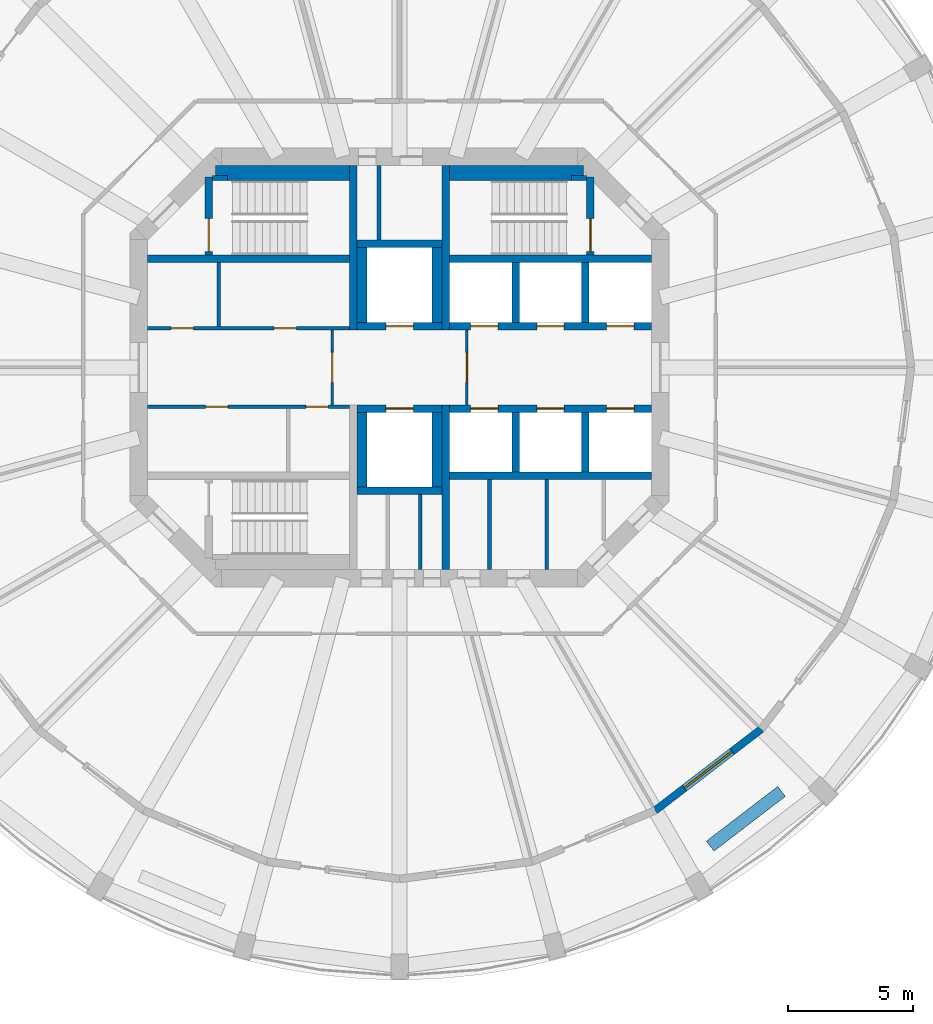
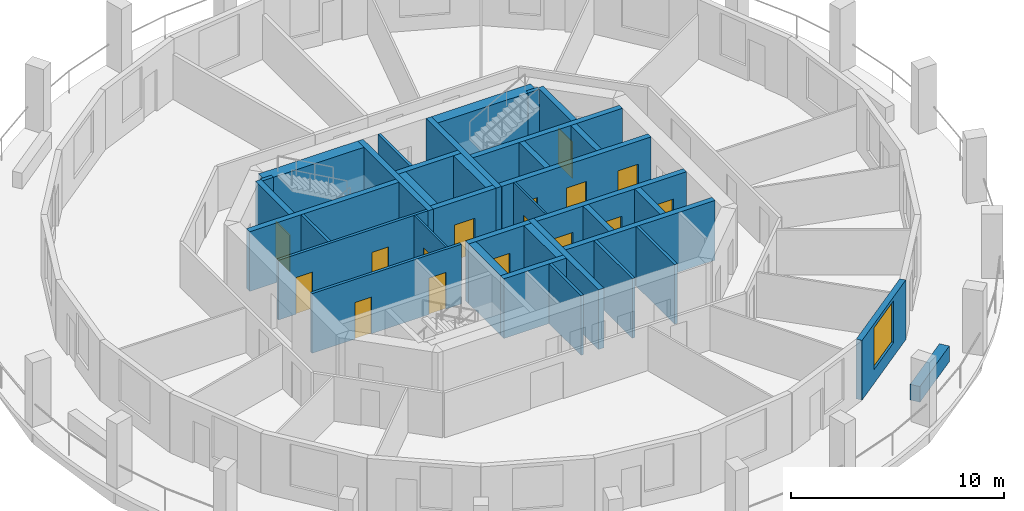
# One storey, part 4 of 9: 37 walls, 16 doors, 1 window, 17 openings.
"""IFC4 building model written with IfcOpenShell, lengths in metres."""

from ifc_helpers import new_model, si_unit, direction, frame, frame_2d, origin, place, context, subcontext, project, spatial, rectangle, extrude, material, layer, layer_set, type_object, element, fill, save


model = new_model("IFC4")

# Units and contexts
model_context = context("Model", 3, precision=1e-05, world=origin(), true_north=direction((0.0, 1.0)))
body_context = subcontext(model_context, "Body", "Model", "MODEL_VIEW")
ifc_project = project(units=[si_unit("LENGTHUNIT", "METRE"), si_unit("AREAUNIT", "SQUARE_METRE"), si_unit("VOLUMEUNIT", "CUBIC_METRE"), si_unit("PLANEANGLEUNIT", "RADIAN"), si_unit("MASSUNIT", "GRAM", prefix="KILO")], contexts=[model_context])

# Site, building, storey
site_placement = place(None, origin())
site = spatial("IfcSite", under=ifc_project, at=site_placement, CompositionType="ELEMENT")
building_placement = place(site_placement, origin())
building = spatial("IfcBuilding", under=site, at=building_placement, Name="Torre Triforio", CompositionType="ELEMENT")
storey_placement = place(building_placement, frame((0.0, 0.0, 229.800048828125)))
storey = spatial("IfcBuildingStorey", under=building, at=storey_placement, Name="L52", CompositionType="ELEMENT", Elevation=229.800048828125)

# Walls
ifc_material_1 = material(Name="Concrete C50", Category="concrete")
ifc_layer_1 = layer(ifc_material_1, 0.300048828125)
ifc_layer_set_1 = layer_set([ifc_layer_1], Name="Concrete C50")
wall_type_1 = type_object("IfcWallType", Name="Core wall 300 mm C50 EI 120", PredefinedType="SHEAR", material=ifc_layer_set_1)
for number, where, z_axis, x_axis, name in (
    (1, (-1.85009765625, 1.5, 0.0), (0.0, 0.0, 1.0), (0.0, 1.0, 0.0), "Core wall"),
    (2, (1.85009765625, 1.5, 0.0), (0.0, 0.0, 1.0), (0.0, 1.0, 0.0), "Core wall"),
    (3, (1.85009765625, -8.10009765625, 0.0), (0.0, 0.0, 1.0), (0.0, 1.0, 0.0), "Core wall"),
):
    element("IfcWall", number, at=place(storey_placement, frame(where, z_axis=z_axis, x_axis=x_axis)), inside=storey, type_object=wall_type_1, Name=name, PredefinedType="SHEAR", context=body_context, shape_type="SweptSolid", body=[
        extrude(rectangle(XDim=6.60009765625, YDim=0.300048828125, at=frame_2d((3.300048828125, 0.0))), origin(), (0.0, 0.0, 1.0), 3.419921875),
    ])

# Wall, opening, door
ifc_material_2 = material(Name="Block and board partition")
ifc_layer_2 = layer(ifc_material_2, 0.10009765625)
ifc_layer_set_2 = layer_set([ifc_layer_2], Name="Block and board partition")
wall_type_2 = type_object("IfcWallType", Name="Partition 100 mm EI 120", PredefinedType="PARTITIONING", material=ifc_layer_set_2)
wall_1_placement = place(storey_placement, frame((-2.699951171875, -1.5, 0.0), z_axis=(0.0, 0.0, 1.0), x_axis=(0.0, 1.0, 0.0)))
wall_1 = element("IfcWall", 4, at=wall_1_placement, inside=storey, type_object=wall_type_2, Name="Partition", PredefinedType="PARTITIONING", context=body_context, shape_type="SweptSolid", body=[
    extrude(rectangle(XDim=3.0, YDim=0.10009765625, at=frame_2d((1.5, 0.0))), origin(), (0.0, 0.0, 1.0), 3.419921875),
])
opening_1_placement = place(wall_1_placement, frame((0.89990234375, 0.0, 0.0)))
opening_1 = element("IfcOpeningElement", 5, at=opening_1_placement, cuts=wall_1, Name="Opening FF-W", PredefinedType="OPENING", context=body_context, shape_type="SweptSolid", body=[
    extrude(rectangle(XDim=1.199951171875, YDim=2.10009765625, at=frame_2d((0.60009765625, 1.050048828125))), frame((0.0, 0.06005859375, 0.0), z_axis=(0.0, -1.0, 0.0), x_axis=(1.0, 0.0, 0.0)), (0.0, 0.0, 1.0), 0.1201171875),
])
ifc_material_3 = material(Name="Hollow metal fire door leaf")
door_type_1 = type_object("IfcDoorType", Name="Fire-fighting lobby door 1200 x 2100 EI 60", OperationType="NOTDEFINED", PredefinedType="DOOR", material=ifc_material_3)
door_1_placement = place(opening_1_placement, origin())
door_1 = element("IfcDoor", 6, at=door_1_placement, inside=storey, type_object=door_type_1, Name="Core door FF-W", OperationType="SINGLE_SWING_LEFT", OverallHeight=2.10009765625, OverallWidth=1.199951171875, PredefinedType="DOOR", context=body_context, shape_type="SweptSolid", body=[
    extrude(rectangle(XDim=1.199951171875, YDim=2.10009765625, at=frame_2d((0.60009765625, 1.050048828125))), frame((0.0, 0.02490234375, 0.0), z_axis=(0.0, -1.0, 0.0), x_axis=(1.0, 0.0, 0.0)), (0.0, 0.0, 1.0), 0.050048828125),
])
fill(opening_1, door_1)

wall_2_placement = place(storey_placement, frame((2.699951171875, -1.5, 0.0), z_axis=(0.0, 0.0, 1.0), x_axis=(0.0, 1.0, 0.0)))
wall_2 = element("IfcWall", 7, at=wall_2_placement, inside=storey, type_object=wall_type_2, Name="Partition", PredefinedType="PARTITIONING", context=body_context, shape_type="SweptSolid", body=[
    extrude(rectangle(XDim=3.0, YDim=0.10009765625, at=frame_2d((1.5, 0.0))), origin(), (0.0, 0.0, 1.0), 3.419921875),
])
opening_2_placement = place(wall_2_placement, frame((0.89990234375, 0.0, 0.0)))
opening_2 = element("IfcOpeningElement", 8, at=opening_2_placement, cuts=wall_2, Name="Opening FF-E", PredefinedType="OPENING", context=body_context, shape_type="SweptSolid", body=[
    extrude(rectangle(XDim=1.199951171875, YDim=2.10009765625, at=frame_2d((0.60009765625, 1.050048828125))), frame((0.0, 0.06005859375, 0.0), z_axis=(0.0, -1.0, 0.0), x_axis=(1.0, 0.0, 0.0)), (0.0, 0.0, 1.0), 0.1201171875),
])
door_2_placement = place(opening_2_placement, origin())
door_2 = element("IfcDoor", 9, at=door_2_placement, inside=storey, type_object=door_type_1, Name="Core door FF-E", OperationType="SINGLE_SWING_LEFT", OverallHeight=2.10009765625, OverallWidth=1.199951171875, PredefinedType="DOOR", context=body_context, shape_type="SweptSolid", body=[
    extrude(rectangle(XDim=1.199951171875, YDim=2.10009765625, at=frame_2d((0.60009765625, 1.050048828125))), frame((0.0, 0.02490234375, 0.0), z_axis=(0.0, -1.0, 0.0), x_axis=(1.0, 0.0, 0.0)), (0.0, 0.0, 1.0), 0.050048828125),
])
fill(opening_2, door_2)

# Walls
ifc_layer_3 = layer(ifc_material_2, 0.14990234375)
ifc_layer_set_3 = layer_set([ifc_layer_3], Name="Block and board partition")
wall_type_3 = type_object("IfcWallType", Name="Partition 150 mm", PredefinedType="PARTITIONING", material=ifc_layer_set_3)
for number, where, z_axis, x_axis, name in (
    (10, (3.60498046875, -8.10009765625, 0.0), (0.0, 0.0, 1.0), (0.0, 1.0, 0.0), "Partition"),
    (11, (5.89697265625, -8.10009765625, 0.0), (0.0, 0.0, 1.0), (0.0, 1.0, 0.0), "Partition"),
):
    element("IfcWall", number, at=place(storey_placement, frame(where, z_axis=z_axis, x_axis=x_axis)), inside=storey, type_object=wall_type_3, Name=name, PredefinedType="PARTITIONING", context=body_context, shape_type="SweptSolid", body=[
        extrude(rectangle(XDim=3.60009765625, YDim=0.14990234375, at=frame_2d((1.800048828125, 0.0))), origin(), (0.0, 0.0, 1.0), 3.419921875),
    ])
wall_3_placement = place(storey_placement, frame((-7.242431640625, 1.64990234375, 0.0), z_axis=(0.0, 0.0, 1.0), x_axis=(0.0, 1.0, 0.0)))
element("IfcWall", 12, at=wall_3_placement, inside=storey, type_object=wall_type_3, Name="Partition", PredefinedType="PARTITIONING", context=body_context, shape_type="SweptSolid", body=[
    extrude(rectangle(XDim=2.550048828125, YDim=0.14990234375, at=frame_2d((1.27490234375, 0.0))), origin(), (0.0, 0.0, 1.0), 3.419921875),
])
ifc_layer_4 = layer(ifc_material_2, 0.14990234375)
ifc_layer_set_4 = layer_set([ifc_layer_4], Name="Block and board partition")
wall_type_4 = type_object("IfcWallType", Name="Partition 150 mm EI 120", PredefinedType="PARTITIONING", material=ifc_layer_set_4)
for number, where, z_axis, x_axis, name in (
    (13, (-0.824951171875, 5.10009765625, 0.0), (0.0, 0.0, 1.0), (0.0, 1.0, 0.0), "Partition"),
    (14, (0.824951171875, -8.10009765625, 0.0), (0.0, 0.0, 1.0), (0.0, 1.0, 0.0), "Partition"),
):
    element("IfcWall", number, at=place(storey_placement, frame(where, z_axis=z_axis, x_axis=x_axis)), inside=storey, type_object=wall_type_4, Name=name, PredefinedType="PARTITIONING", context=body_context, shape_type="SweptSolid", body=[
        extrude(rectangle(XDim=3.0, YDim=0.14990234375, at=frame_2d((1.5, 0.0))), origin(), (0.0, 0.0, 1.0), 3.419921875),
    ])

# Wall, openings, doors
wall_4_placement = place(storey_placement, frame((-10.10009765625, 1.574951171875, 0.0), z_axis=(0.0, 0.0, 1.0), x_axis=(1.0, 0.0, 0.0)))
wall_4 = element("IfcWall", 15, at=wall_4_placement, inside=storey, type_object=wall_type_4, Name="Partition", PredefinedType="PARTITIONING", context=body_context, shape_type="SweptSolid", body=[
    extrude(rectangle(XDim=8.10009765625, YDim=0.14990234375, at=frame_2d((4.050048828125, 0.0))), origin(), (0.0, 0.0, 1.0), 3.419921875),
])
opening_3_placement = place(wall_4_placement, frame((0.941162109375, 0.0, 0.0)))
opening_3 = element("IfcOpeningElement", 16, at=opening_3_placement, cuts=wall_4, Name="Opening FN-01A", PredefinedType="OPENING", context=body_context, shape_type="SweptSolid", body=[
    extrude(rectangle(XDim=0.89990234375, YDim=2.10009765625, at=frame_2d((0.449951171875, 1.050048828125))), frame((0.0, 0.0849609375, 0.0), z_axis=(0.0, -1.0, 0.0), x_axis=(1.0, 0.0, 0.0)), (0.0, 0.0, 1.0), 0.169921875),
])
opening_4_placement = place(wall_4_placement, frame((5.066162109375, 0.0, 0.0)))
opening_4 = element("IfcOpeningElement", 17, at=opening_4_placement, cuts=wall_4, Name="Opening FN-02", PredefinedType="OPENING", context=body_context, shape_type="SweptSolid", body=[
    extrude(rectangle(XDim=0.89990234375, YDim=2.10009765625, at=frame_2d((0.449951171875, 1.050048828125))), frame((0.0, 0.0849609375, 0.0), z_axis=(0.0, -1.0, 0.0), x_axis=(1.0, 0.0, 0.0)), (0.0, 0.0, 1.0), 0.169921875),
])
door_type_2 = type_object("IfcDoorType", Name="Plant room door 900 x 2100 EI 60", OperationType="NOTDEFINED", PredefinedType="DOOR", material=ifc_material_3)
door_3_placement = place(opening_3_placement, origin())
door_3 = element("IfcDoor", 18, at=door_3_placement, inside=storey, type_object=door_type_2, Name="Core door FN-01", OperationType="SINGLE_SWING_RIGHT", OverallHeight=2.10009765625, OverallWidth=0.89990234375, PredefinedType="DOOR", context=body_context, shape_type="SweptSolid", body=[
    extrude(rectangle(XDim=0.89990234375, YDim=2.10009765625, at=frame_2d((0.449951171875, 1.050048828125))), frame((0.0, 0.02490234375, 0.0), z_axis=(0.0, -1.0, 0.0), x_axis=(1.0, 0.0, 0.0)), (0.0, 0.0, 1.0), 0.050048828125),
])
fill(opening_3, door_3)
door_type_3 = type_object("IfcDoorType", Name="Room door 900 x 2100 EI 60", OperationType="NOTDEFINED", PredefinedType="DOOR", material=ifc_material_3)
door_4_placement = place(opening_4_placement, origin())
door_4 = element("IfcDoor", 19, at=door_4_placement, inside=storey, type_object=door_type_3, Name="Core door FN-02", OperationType="SINGLE_SWING_RIGHT", OverallHeight=2.10009765625, OverallWidth=0.89990234375, PredefinedType="DOOR", context=body_context, shape_type="SweptSolid", body=[
    extrude(rectangle(XDim=0.89990234375, YDim=2.10009765625, at=frame_2d((0.449951171875, 1.050048828125))), frame((0.0, 0.02490234375, 0.0), z_axis=(0.0, -1.0, 0.0), x_axis=(1.0, 0.0, 0.0)), (0.0, 0.0, 1.0), 0.050048828125),
])
fill(opening_4, door_4)

wall_5_placement = place(storey_placement, frame((-10.10009765625, -1.574951171875, 0.0), z_axis=(0.0, 0.0, 1.0), x_axis=(1.0, 0.0, 0.0)))
wall_5 = element("IfcWall", 20, at=wall_5_placement, inside=storey, type_object=wall_type_4, Name="Partition", PredefinedType="PARTITIONING", context=body_context, shape_type="SweptSolid", body=[
    extrude(rectangle(XDim=8.10009765625, YDim=0.14990234375, at=frame_2d((4.050048828125, 0.0))), origin(), (0.0, 0.0, 1.0), 3.419921875),
])
opening_5_placement = place(wall_5_placement, frame((2.33251953125, 0.0, 0.0)))
opening_5 = element("IfcOpeningElement", 21, at=opening_5_placement, cuts=wall_5, Name="Opening FS-01", PredefinedType="OPENING", context=body_context, shape_type="SweptSolid", body=[
    extrude(rectangle(XDim=0.89990234375, YDim=2.10009765625, at=frame_2d((0.449951171875, 1.050048828125))), frame((0.0, 0.0849609375, 0.0), z_axis=(0.0, -1.0, 0.0), x_axis=(1.0, 0.0, 0.0)), (0.0, 0.0, 1.0), 0.169921875),
])
opening_6_placement = place(wall_5_placement, frame((6.35009765625, 0.0, 0.0)))
opening_6 = element("IfcOpeningElement", 22, at=opening_6_placement, cuts=wall_5, Name="Opening FS-02A", PredefinedType="OPENING", context=body_context, shape_type="SweptSolid", body=[
    extrude(rectangle(XDim=0.89990234375, YDim=2.10009765625, at=frame_2d((0.449951171875, 1.050048828125))), frame((0.0, 0.0849609375, 0.0), z_axis=(0.0, -1.0, 0.0), x_axis=(1.0, 0.0, 0.0)), (0.0, 0.0, 1.0), 0.169921875),
])
door_5_placement = place(opening_6_placement, origin())
door_5 = element("IfcDoor", 23, at=door_5_placement, inside=storey, type_object=door_type_2, Name="Core door FS-02", OperationType="SINGLE_SWING_LEFT", OverallHeight=2.10009765625, OverallWidth=0.89990234375, PredefinedType="DOOR", context=body_context, shape_type="SweptSolid", body=[
    extrude(rectangle(XDim=0.89990234375, YDim=2.10009765625, at=frame_2d((0.449951171875, 1.050048828125))), frame((0.0, 0.02490234375, 0.0), z_axis=(0.0, -1.0, 0.0), x_axis=(1.0, 0.0, 0.0)), (0.0, 0.0, 1.0), 0.050048828125),
])
fill(opening_6, door_5)
door_6_placement = place(opening_5_placement, origin())
door_6 = element("IfcDoor", 24, at=door_6_placement, inside=storey, type_object=door_type_3, Name="Core door FS-01", OperationType="SINGLE_SWING_LEFT", OverallHeight=2.10009765625, OverallWidth=0.89990234375, PredefinedType="DOOR", context=body_context, shape_type="SweptSolid", body=[
    extrude(rectangle(XDim=0.89990234375, YDim=2.10009765625, at=frame_2d((0.449951171875, 1.050048828125))), frame((0.0, 0.02490234375, 0.0), z_axis=(0.0, -1.0, 0.0), x_axis=(1.0, 0.0, 0.0)), (0.0, 0.0, 1.0), 0.050048828125),
])
fill(opening_5, door_6)

# Walls
ifc_material_4 = material(Name="Limestone cladding", Category="masonry")
ifc_layer_5 = layer(ifc_material_4, 0.10009765625)
ifc_material_5 = material(Name="Concrete C40", Category="concrete")
ifc_layer_6 = layer(ifc_material_5, 0.39990234375)
ifc_layer_set_5 = layer_set([ifc_layer_5, ifc_layer_6], Name="Limestone cladding / Concrete C40")
wall_type_5 = type_object("IfcWallType", Name="Planter wall 500", PredefinedType="PARAPET", material=ifc_layer_set_5)
wall_6_placement = place(storey_placement, frame((12.45166015625, -19.18408203125, 0.0), z_axis=(0.0, 0.0, 1.0), x_axis=(0.793384730612, 0.608720518162, 0.0)))
element("IfcWall", 25, at=wall_6_placement, inside=storey, type_object=wall_type_5, Name="Planter L52 bay 21", PredefinedType="PARAPET", context=body_context, shape_type="SweptSolid", body=[
    extrude(rectangle(XDim=3.60009765625, YDim=0.5, at=frame_2d((1.800048828125, 0.0))), origin(), (0.0, 0.0, 1.0), 0.89990234375),
])
ifc_layer_7 = layer(ifc_material_1, 0.300048828125)
ifc_layer_set_6 = layer_set([ifc_layer_7], Name="Concrete C50")
wall_type_6 = type_object("IfcWallType", Name="Shaft wall 300 mm C50 EI 120", PredefinedType="SOLIDWALL", material=ifc_layer_set_6)
for number, where, z_axis, x_axis, name in (
    (26, (-10.10009765625, 4.35009765625, 0.0), (0.0, 0.0, 1.0), (1.0, 0.0, 0.0), "Shaft wall"),
    (27, (2.0, 4.35009765625, 0.0), (0.0, 0.0, 1.0), (1.0, 0.0, 0.0), "Shaft wall"),
    (28, (2.0, -4.35009765625, 0.0), (0.0, 0.0, 1.0), (1.0, 0.0, 0.0), "Shaft wall"),
):
    element("IfcWall", number, at=place(storey_placement, frame(where, z_axis=z_axis, x_axis=x_axis)), inside=storey, type_object=wall_type_6, Name=name, PredefinedType="SOLIDWALL", context=body_context, shape_type="SweptSolid", body=[
        extrude(rectangle(XDim=8.10009765625, YDim=0.300048828125, at=frame_2d((4.050048828125, 0.0))), origin(), (0.0, 0.0, 1.0), 3.419921875),
    ])

# Wall, openings, doors
wall_7_placement = place(storey_placement, frame((2.0, 1.64990234375, 0.0), z_axis=(0.0, 0.0, 1.0), x_axis=(1.0, 0.0, 0.0)))
wall_7 = element("IfcWall", 29, at=wall_7_placement, inside=storey, type_object=wall_type_6, Name="Shaft wall", PredefinedType="SOLIDWALL", context=body_context, shape_type="SweptSolid", body=[
    extrude(rectangle(XDim=8.10009765625, YDim=0.300048828125, at=frame_2d((4.050048828125, 0.0))), origin(), (0.0, 0.0, 1.0), 3.419921875),
])
opening_7_placement = place(wall_7_placement, frame((0.85009765625, 0.0, 0.0)))
opening_7 = element("IfcOpeningElement", 30, at=opening_7_placement, cuts=wall_7, Name="Opening LD", PredefinedType="OPENING", context=body_context, shape_type="SweptSolid", body=[
    extrude(rectangle(XDim=1.10009765625, YDim=2.10009765625, at=frame_2d((0.550048828125, 1.050048828125))), frame((0.0, 0.159912109375, 0.0), z_axis=(0.0, -1.0, 0.0), x_axis=(1.0, 0.0, 0.0)), (0.0, 0.0, 1.0), 0.320068359375),
])
opening_8_placement = place(wall_7_placement, frame((3.5, 0.0, 0.0)))
opening_8 = element("IfcOpeningElement", 31, at=opening_8_placement, cuts=wall_7, Name="Opening LD", PredefinedType="OPENING", context=body_context, shape_type="SweptSolid", body=[
    extrude(rectangle(XDim=1.10009765625, YDim=2.10009765625, at=frame_2d((0.550048828125, 1.050048828125))), frame((0.0, 0.159912109375, 0.0), z_axis=(0.0, -1.0, 0.0), x_axis=(1.0, 0.0, 0.0)), (0.0, 0.0, 1.0), 0.320068359375),
])
opening_9_placement = place(wall_7_placement, frame((6.300048828125, 0.0, 0.0)))
opening_9 = element("IfcOpeningElement", 32, at=opening_9_placement, cuts=wall_7, Name="Opening LD", PredefinedType="OPENING", context=body_context, shape_type="SweptSolid", body=[
    extrude(rectangle(XDim=1.10009765625, YDim=2.10009765625, at=frame_2d((0.550048828125, 1.050048828125))), frame((0.0, 0.159912109375, 0.0), z_axis=(0.0, -1.0, 0.0), x_axis=(1.0, 0.0, 0.0)), (0.0, 0.0, 1.0), 0.320068359375),
])
door_type_4 = type_object("IfcDoorType", Name="Landing door 1100 x 2100 EI 60", OperationType="DOUBLE_DOOR_SLIDING", PredefinedType="DOOR", material=ifc_material_3)
door_7_placement = place(opening_7_placement, origin())
door_7 = element("IfcDoor", 33, at=door_7_placement, inside=storey, type_object=door_type_4, Name="Landing door HR1", OperationType="DOUBLE_DOOR_SLIDING", OverallHeight=2.10009765625, OverallWidth=1.10009765625, PredefinedType="DOOR", context=body_context, shape_type="SweptSolid", body=[
    extrude(rectangle(XDim=1.10009765625, YDim=2.10009765625, at=frame_2d((0.550048828125, 1.050048828125))), frame((0.0, 0.02490234375, 0.0), z_axis=(0.0, -1.0, 0.0), x_axis=(1.0, 0.0, 0.0)), (0.0, 0.0, 1.0), 0.050048828125),
])
fill(opening_7, door_7)
door_8_placement = place(opening_8_placement, origin())
door_8 = element("IfcDoor", 34, at=door_8_placement, inside=storey, type_object=door_type_4, Name="Landing door HR2", OperationType="DOUBLE_DOOR_SLIDING", OverallHeight=2.10009765625, OverallWidth=1.10009765625, PredefinedType="DOOR", context=body_context, shape_type="SweptSolid", body=[
    extrude(rectangle(XDim=1.10009765625, YDim=2.10009765625, at=frame_2d((0.550048828125, 1.050048828125))), frame((0.0, 0.02490234375, 0.0), z_axis=(0.0, -1.0, 0.0), x_axis=(1.0, 0.0, 0.0)), (0.0, 0.0, 1.0), 0.050048828125),
])
fill(opening_8, door_8)
door_9_placement = place(opening_9_placement, origin())
door_9 = element("IfcDoor", 35, at=door_9_placement, inside=storey, type_object=door_type_4, Name="Landing door HR3", OperationType="DOUBLE_DOOR_SLIDING", OverallHeight=2.10009765625, OverallWidth=1.10009765625, PredefinedType="DOOR", context=body_context, shape_type="SweptSolid", body=[
    extrude(rectangle(XDim=1.10009765625, YDim=2.10009765625, at=frame_2d((0.550048828125, 1.050048828125))), frame((0.0, 0.02490234375, 0.0), z_axis=(0.0, -1.0, 0.0), x_axis=(1.0, 0.0, 0.0)), (0.0, 0.0, 1.0), 0.050048828125),
])
fill(opening_9, door_9)

wall_8_placement = place(storey_placement, frame((2.0, -1.64990234375, 0.0), z_axis=(0.0, 0.0, 1.0), x_axis=(1.0, 0.0, 0.0)))
wall_8 = element("IfcWall", 36, at=wall_8_placement, inside=storey, type_object=wall_type_6, Name="Shaft wall", PredefinedType="SOLIDWALL", context=body_context, shape_type="SweptSolid", body=[
    extrude(rectangle(XDim=8.10009765625, YDim=0.300048828125, at=frame_2d((4.050048828125, 0.0))), origin(), (0.0, 0.0, 1.0), 3.419921875),
])
opening_10_placement = place(wall_8_placement, frame((0.85009765625, 0.0, 0.0)))
opening_10 = element("IfcOpeningElement", 37, at=opening_10_placement, cuts=wall_8, Name="Opening LD", PredefinedType="OPENING", context=body_context, shape_type="SweptSolid", body=[
    extrude(rectangle(XDim=1.10009765625, YDim=2.10009765625, at=frame_2d((0.550048828125, 1.050048828125))), frame((0.0, 0.159912109375, 0.0), z_axis=(0.0, -1.0, 0.0), x_axis=(1.0, 0.0, 0.0)), (0.0, 0.0, 1.0), 0.320068359375),
])
opening_11_placement = place(wall_8_placement, frame((3.5, 0.0, 0.0)))
opening_11 = element("IfcOpeningElement", 38, at=opening_11_placement, cuts=wall_8, Name="Opening LD", PredefinedType="OPENING", context=body_context, shape_type="SweptSolid", body=[
    extrude(rectangle(XDim=1.10009765625, YDim=2.10009765625, at=frame_2d((0.550048828125, 1.050048828125))), frame((0.0, 0.159912109375, 0.0), z_axis=(0.0, -1.0, 0.0), x_axis=(1.0, 0.0, 0.0)), (0.0, 0.0, 1.0), 0.320068359375),
])
opening_12_placement = place(wall_8_placement, frame((6.300048828125, 0.0, 0.0)))
opening_12 = element("IfcOpeningElement", 39, at=opening_12_placement, cuts=wall_8, Name="Opening LD", PredefinedType="OPENING", context=body_context, shape_type="SweptSolid", body=[
    extrude(rectangle(XDim=1.10009765625, YDim=2.10009765625, at=frame_2d((0.550048828125, 1.050048828125))), frame((0.0, 0.159912109375, 0.0), z_axis=(0.0, -1.0, 0.0), x_axis=(1.0, 0.0, 0.0)), (0.0, 0.0, 1.0), 0.320068359375),
])
door_10_placement = place(opening_10_placement, origin())
door_10 = element("IfcDoor", 40, at=door_10_placement, inside=storey, type_object=door_type_4, Name="Landing door HR4", OperationType="DOUBLE_DOOR_SLIDING", OverallHeight=2.10009765625, OverallWidth=1.10009765625, PredefinedType="DOOR", context=body_context, shape_type="SweptSolid", body=[
    extrude(rectangle(XDim=1.10009765625, YDim=2.10009765625, at=frame_2d((0.550048828125, 1.050048828125))), frame((0.0, 0.02490234375, 0.0), z_axis=(0.0, -1.0, 0.0), x_axis=(1.0, 0.0, 0.0)), (0.0, 0.0, 1.0), 0.050048828125),
])
fill(opening_10, door_10)
door_11_placement = place(opening_11_placement, origin())
door_11 = element("IfcDoor", 41, at=door_11_placement, inside=storey, type_object=door_type_4, Name="Landing door HR5", OperationType="DOUBLE_DOOR_SLIDING", OverallHeight=2.10009765625, OverallWidth=1.10009765625, PredefinedType="DOOR", context=body_context, shape_type="SweptSolid", body=[
    extrude(rectangle(XDim=1.10009765625, YDim=2.10009765625, at=frame_2d((0.550048828125, 1.050048828125))), frame((0.0, 0.02490234375, 0.0), z_axis=(0.0, -1.0, 0.0), x_axis=(1.0, 0.0, 0.0)), (0.0, 0.0, 1.0), 0.050048828125),
])
fill(opening_11, door_11)
door_12_placement = place(opening_12_placement, origin())
door_12 = element("IfcDoor", 42, at=door_12_placement, inside=storey, type_object=door_type_4, Name="Landing door HR6", OperationType="DOUBLE_DOOR_SLIDING", OverallHeight=2.10009765625, OverallWidth=1.10009765625, PredefinedType="DOOR", context=body_context, shape_type="SweptSolid", body=[
    extrude(rectangle(XDim=1.10009765625, YDim=2.10009765625, at=frame_2d((0.550048828125, 1.050048828125))), frame((0.0, 0.02490234375, 0.0), z_axis=(0.0, -1.0, 0.0), x_axis=(1.0, 0.0, 0.0)), (0.0, 0.0, 1.0), 0.050048828125),
])
fill(opening_12, door_12)

# Walls
for number, where, z_axis, x_axis, name in (
    (43, (4.64990234375, 1.800048828125, 0.0), (0.0, 0.0, 1.0), (0.0, 1.0, 0.0), "Shaft wall"),
    (44, (4.64990234375, -4.199951171875, 0.0), (0.0, 0.0, 1.0), (0.0, 1.0, 0.0), "Shaft wall"),
    (45, (7.449951171875, 1.800048828125, 0.0), (0.0, 0.0, 1.0), (0.0, 1.0, 0.0), "Shaft wall"),
    (46, (7.449951171875, -4.199951171875, 0.0), (0.0, 0.0, 1.0), (0.0, 1.0, 0.0), "Shaft wall"),
):
    element("IfcWall", number, at=place(storey_placement, frame(where, z_axis=z_axis, x_axis=x_axis)), inside=storey, type_object=wall_type_6, Name=name, PredefinedType="SOLIDWALL", context=body_context, shape_type="SweptSolid", body=[
        extrude(rectangle(XDim=2.39990234375, YDim=0.300048828125, at=frame_2d((1.199951171875, 0.0))), origin(), (0.0, 0.0, 1.0), 3.419921875),
    ])

# Wall, opening, door
wall_9_placement = place(storey_placement, frame((-1.699951171875, 1.64990234375, 0.0), z_axis=(0.0, 0.0, 1.0), x_axis=(1.0, 0.0, 0.0)))
wall_9 = element("IfcWall", 47, at=wall_9_placement, inside=storey, type_object=wall_type_6, Name="Shaft wall", PredefinedType="SOLIDWALL", context=body_context, shape_type="SweptSolid", body=[
    extrude(rectangle(XDim=3.39990234375, YDim=0.300048828125, at=frame_2d((1.699951171875, 0.0))), origin(), (0.0, 0.0, 1.0), 3.419921875),
])
opening_13_placement = place(wall_9_placement, frame((1.14990234375, 0.0, 0.0)))
opening_13 = element("IfcOpeningElement", 48, at=opening_13_placement, cuts=wall_9, Name="Opening LD", PredefinedType="OPENING", context=body_context, shape_type="SweptSolid", body=[
    extrude(rectangle(XDim=1.10009765625, YDim=2.10009765625, at=frame_2d((0.550048828125, 1.050048828125))), frame((0.0, 0.159912109375, 0.0), z_axis=(0.0, -1.0, 0.0), x_axis=(1.0, 0.0, 0.0)), (0.0, 0.0, 1.0), 0.320068359375),
])
door_13_placement = place(opening_13_placement, origin())
door_13 = element("IfcDoor", 49, at=door_13_placement, inside=storey, type_object=door_type_4, Name="Landing door FFL1", OperationType="DOUBLE_DOOR_SLIDING", OverallHeight=2.10009765625, OverallWidth=1.10009765625, PredefinedType="DOOR", context=body_context, shape_type="SweptSolid", body=[
    extrude(rectangle(XDim=1.10009765625, YDim=2.10009765625, at=frame_2d((0.550048828125, 1.050048828125))), frame((0.0, 0.02490234375, 0.0), z_axis=(0.0, -1.0, 0.0), x_axis=(1.0, 0.0, 0.0)), (0.0, 0.0, 1.0), 0.050048828125),
])
fill(opening_13, door_13)

wall_10_placement = place(storey_placement, frame((-1.699951171875, -1.64990234375, 0.0), z_axis=(0.0, 0.0, 1.0), x_axis=(1.0, 0.0, 0.0)))
wall_10 = element("IfcWall", 50, at=wall_10_placement, inside=storey, type_object=wall_type_6, Name="Shaft wall", PredefinedType="SOLIDWALL", context=body_context, shape_type="SweptSolid", body=[
    extrude(rectangle(XDim=3.39990234375, YDim=0.300048828125, at=frame_2d((1.699951171875, 0.0))), origin(), (0.0, 0.0, 1.0), 3.419921875),
])
opening_14_placement = place(wall_10_placement, frame((1.14990234375, 0.0, 0.0)))
opening_14 = element("IfcOpeningElement", 51, at=opening_14_placement, cuts=wall_10, Name="Opening LD", PredefinedType="OPENING", context=body_context, shape_type="SweptSolid", body=[
    extrude(rectangle(XDim=1.10009765625, YDim=2.10009765625, at=frame_2d((0.550048828125, 1.050048828125))), frame((0.0, 0.159912109375, 0.0), z_axis=(0.0, -1.0, 0.0), x_axis=(1.0, 0.0, 0.0)), (0.0, 0.0, 1.0), 0.320068359375),
])
door_14_placement = place(opening_14_placement, origin())
door_14 = element("IfcDoor", 52, at=door_14_placement, inside=storey, type_object=door_type_4, Name="Landing door FFL2", OperationType="DOUBLE_DOOR_SLIDING", OverallHeight=2.10009765625, OverallWidth=1.10009765625, PredefinedType="DOOR", context=body_context, shape_type="SweptSolid", body=[
    extrude(rectangle(XDim=1.10009765625, YDim=2.10009765625, at=frame_2d((0.550048828125, 1.050048828125))), frame((0.0, 0.02490234375, 0.0), z_axis=(0.0, -1.0, 0.0), x_axis=(1.0, 0.0, 0.0)), (0.0, 0.0, 1.0), 0.050048828125),
])
fill(opening_14, door_14)

# Walls
for number, where, z_axis, x_axis, name in (
    (53, (-1.699951171875, 4.949951171875, 0.0), (0.0, 0.0, 1.0), (1.0, 0.0, 0.0), "Shaft wall"),
    (54, (-1.699951171875, -4.949951171875, 0.0), (0.0, 0.0, 1.0), (1.0, 0.0, 0.0), "Shaft wall"),
):
    element("IfcWall", number, at=place(storey_placement, frame(where, z_axis=z_axis, x_axis=x_axis)), inside=storey, type_object=wall_type_6, Name=name, PredefinedType="SOLIDWALL", context=body_context, shape_type="SweptSolid", body=[
        extrude(rectangle(XDim=3.39990234375, YDim=0.300048828125, at=frame_2d((1.699951171875, 0.0))), origin(), (0.0, 0.0, 1.0), 3.419921875),
    ])
ifc_layer_8 = layer(ifc_material_1, 0.39990234375)
ifc_layer_set_7 = layer_set([ifc_layer_8], Name="Concrete C50")
wall_type_7 = type_object("IfcWallType", Name="Shaft wall 400 mm C50 EI 120", PredefinedType="SOLIDWALL", material=ifc_layer_set_7)
for number, where, z_axis, x_axis, name in (
    (55, (-1.5, 1.800048828125, 0.0), (0.0, 0.0, 1.0), (0.0, 1.0, 0.0), "Shaft wall"),
    (56, (-1.5, -4.800048828125, 0.0), (0.0, 0.0, 1.0), (0.0, 1.0, 0.0), "Shaft wall"),
    (57, (1.5, 1.800048828125, 0.0), (0.0, 0.0, 1.0), (0.0, 1.0, 0.0), "Shaft wall"),
    (58, (1.5, -4.800048828125, 0.0), (0.0, 0.0, 1.0), (0.0, 1.0, 0.0), "Shaft wall"),
):
    element("IfcWall", number, at=place(storey_placement, frame(where, z_axis=z_axis, x_axis=x_axis)), inside=storey, type_object=wall_type_7, Name=name, PredefinedType="SOLIDWALL", context=body_context, shape_type="SweptSolid", body=[
        extrude(rectangle(XDim=3.0, YDim=0.39990234375, at=frame_2d((1.5, 0.0))), origin(), (0.0, 0.0, 1.0), 3.419921875),
    ])
ifc_layer_9 = layer(ifc_material_1, 0.199951171875)
ifc_layer_set_8 = layer_set([ifc_layer_9], Name="Concrete C50")
wall_type_8 = type_object("IfcWallType", Name="Stair wall 200 mm C50 EI 120", PredefinedType="SHEAR", material=ifc_layer_set_8)
for number, where, z_axis, x_axis, name in (
    (59, (-7.5, 7.60009765625, 0.0), (0.0, 0.0, 1.0), (1.0, 0.0, 0.0), "Stair wall"),
    (60, (6.89990234375, 7.60009765625, 0.0), (0.0, 0.0, 1.0), (1.0, 0.0, 0.0), "Stair wall"),
):
    element("IfcWall", number, at=place(storey_placement, frame(where, z_axis=z_axis, x_axis=x_axis)), inside=storey, type_object=wall_type_8, Name=name, PredefinedType="SHEAR", context=body_context, shape_type="SweptSolid", body=[
        extrude(rectangle(XDim=0.60009765625, YDim=0.199951171875, at=frame_2d((0.300048828125, 0.0))), origin(), (0.0, 0.0, 1.0), 3.419921875),
    ])

# Wall, opening, door
ifc_layer_10 = layer(ifc_material_1, 0.300048828125)
ifc_layer_set_9 = layer_set([ifc_layer_10], Name="Concrete C50")
wall_type_9 = type_object("IfcWallType", Name="Stair wall 300 mm C50 EI 120", PredefinedType="SHEAR", material=ifc_layer_set_9)
wall_11_placement = place(storey_placement, frame((-7.64990234375, 4.5, 0.0), z_axis=(0.0, 0.0, 1.0), x_axis=(0.0, 1.0, 0.0)))
wall_11 = element("IfcWall", 61, at=wall_11_placement, inside=storey, type_object=wall_type_9, Name="Stair wall", PredefinedType="SHEAR", context=body_context, shape_type="SweptSolid", body=[
    extrude(rectangle(XDim=3.139892578125, YDim=0.300048828125, at=frame_2d((1.56982421875, 0.0))), origin(), (0.0, 0.0, 1.0), 3.419921875),
])
opening_15_placement = place(wall_11_placement, frame((0.139892578125, 0.0, 0.0)))
opening_15 = element("IfcOpeningElement", 62, at=opening_15_placement, cuts=wall_11, Name="Opening ST1-STA", PredefinedType="OPENING", context=body_context, shape_type="SweptSolid", body=[
    extrude(rectangle(XDim=1.320068359375, YDim=2.10009765625, at=frame_2d((0.66015625, 1.050048828125))), frame((0.0, 0.159912109375, 0.0), z_axis=(0.0, -1.0, 0.0), x_axis=(1.0, 0.0, 0.0)), (0.0, 0.0, 1.0), 0.320068359375),
])
door_type_5 = type_object("IfcDoorType", Name="Stair door 1320 x 2100 EI 90", OperationType="DOUBLE_DOOR_SINGLE_SWING", PredefinedType="DOOR", material=ifc_material_3)
door_15_placement = place(opening_15_placement, origin())
door_15 = element("IfcDoor", 63, at=door_15_placement, inside=storey, type_object=door_type_5, Name="Core door ST1-ST", OperationType="DOUBLE_DOOR_SINGLE_SWING", OverallHeight=2.10009765625, OverallWidth=1.320068359375, PredefinedType="DOOR", context=body_context, shape_type="SweptSolid", body=[
    extrude(rectangle(XDim=1.320068359375, YDim=2.10009765625, at=frame_2d((0.66015625, 1.050048828125))), frame((0.0, 0.02490234375, 0.0), z_axis=(0.0, -1.0, 0.0), x_axis=(1.0, 0.0, 0.0)), (0.0, 0.0, 1.0), 0.050048828125),
])
fill(opening_15, door_15)

wall_12_placement = place(storey_placement, frame((7.64990234375, 4.5, 0.0), z_axis=(0.0, 0.0, 1.0), x_axis=(0.0, 1.0, 0.0)))
wall_12 = element("IfcWall", 64, at=wall_12_placement, inside=storey, type_object=wall_type_9, Name="Stair wall", PredefinedType="SHEAR", context=body_context, shape_type="SweptSolid", body=[
    extrude(rectangle(XDim=3.139892578125, YDim=0.300048828125, at=frame_2d((1.56982421875, 0.0))), origin(), (0.0, 0.0, 1.0), 3.419921875),
])
opening_16_placement = place(wall_12_placement, frame((0.139892578125, 0.0, 0.0)))
opening_16 = element("IfcOpeningElement", 65, at=opening_16_placement, cuts=wall_12, Name="Opening ST2-STA", PredefinedType="OPENING", context=body_context, shape_type="SweptSolid", body=[
    extrude(rectangle(XDim=1.320068359375, YDim=2.10009765625, at=frame_2d((0.66015625, 1.050048828125))), frame((0.0, 0.159912109375, 0.0), z_axis=(0.0, -1.0, 0.0), x_axis=(1.0, 0.0, 0.0)), (0.0, 0.0, 1.0), 0.320068359375),
])
door_16_placement = place(opening_16_placement, origin())
door_16 = element("IfcDoor", 66, at=door_16_placement, inside=storey, type_object=door_type_5, Name="Core door ST2-ST", OperationType="DOUBLE_DOOR_SINGLE_SWING", OverallHeight=2.10009765625, OverallWidth=1.320068359375, PredefinedType="DOOR", context=body_context, shape_type="SweptSolid", body=[
    extrude(rectangle(XDim=1.320068359375, YDim=2.10009765625, at=frame_2d((0.66015625, 1.050048828125))), frame((0.0, 0.02490234375, 0.0), z_axis=(0.0, -1.0, 0.0), x_axis=(1.0, 0.0, 0.0)), (0.0, 0.0, 1.0), 0.050048828125),
])
fill(opening_16, door_16)

# Walls
ifc_layer_11 = layer(ifc_material_1, 0.60009765625)
ifc_layer_set_10 = layer_set([ifc_layer_11], Name="Concrete C50")
wall_type_10 = type_object("IfcWallType", Name="Stair wall 600 mm C50 EI 120", PredefinedType="SHEAR", material=ifc_layer_set_10)
for number, where, z_axis, x_axis, name in (
    (67, (-7.3701171875, 7.800048828125, 0.0), (0.0, 0.0, 1.0), (1.0, 0.0, 0.0), "Stair wall"),
    (68, (2.0, 7.800048828125, 0.0), (0.0, 0.0, 1.0), (1.0, 0.0, 0.0), "Stair wall"),
):
    element("IfcWall", number, at=place(storey_placement, frame(where, z_axis=z_axis, x_axis=x_axis)), inside=storey, type_object=wall_type_10, Name=name, PredefinedType="SHEAR", context=body_context, shape_type="SweptSolid", body=[
        extrude(rectangle(XDim=5.3701171875, YDim=0.60009765625, at=frame_2d((2.68505859375, 0.0))), origin(), (0.0, 0.0, 1.0), 3.419921875),
    ])

# Wall, opening, window
ifc_layer_12 = layer(ifc_material_4, 0.10009765625)
ifc_layer_13 = layer(ifc_material_5, 0.199951171875)
ifc_layer_set_11 = layer_set([ifc_layer_12, ifc_layer_13], Name="Limestone cladding / Concrete C40")
wall_type_11 = type_object("IfcWallType", Name="Stone-faced composite wall 300", PredefinedType="STANDARD", material=ifc_layer_set_11)
wall_13_placement = place(storey_placement, frame((10.25, -17.75341796875, 0.0), z_axis=(0.0, 0.0, 1.0), x_axis=(0.793349293227, 0.60876670321, 0.0)))
wall_13 = element("IfcWall", 69, at=wall_13_placement, inside=storey, type_object=wall_type_11, Name="External wall L52 bay 21", PredefinedType="STANDARD", context=body_context, shape_type="SweptSolid", body=[
    extrude(rectangle(XDim=5.3515625, YDim=0.300048828125, at=frame_2d((2.67578125, 0.0))), origin(), (0.0, 0.0, 1.0), 3.419921875),
])
opening_17_placement = place(wall_13_placement, frame((1.475830078125, 0.0, 0.800048828125)))
opening_17 = element("IfcOpeningElement", 70, at=opening_17_placement, cuts=wall_13, Name="Opening O7-W21", PredefinedType="OPENING", context=body_context, shape_type="SweptSolid", body=[
    extrude(rectangle(XDim=2.39990234375, YDim=2.39990234375, at=frame_2d((1.199951171875, 1.199951171875))), frame((0.0, 0.159912109375, 0.0), z_axis=(0.0, -1.0, 0.0), x_axis=(1.0, 0.0, 0.0)), (0.0, 0.0, 1.0), 0.320068359375),
])
ifc_material_6 = material(Name="Aluminium frame with clear double glazing", Category="aluminium")
window_type = type_object("IfcWindowType", Name="Punched window 2400 x 2400", PartitioningType="DOUBLE_PANEL_VERTICAL", PredefinedType="WINDOW", material=ifc_material_6)
window_placement = place(opening_17_placement, origin())
window = element("IfcWindow", 71, at=window_placement, inside=storey, type_object=window_type, Name="Window EWN4 L52 bay 21", OverallHeight=2.39990234375, OverallWidth=2.39990234375, PartitioningType="SINGLE_PANEL", PredefinedType="WINDOW", context=body_context, shape_type="SweptSolid", body=[
    extrude(rectangle(XDim=2.39990234375, YDim=2.39990234375, at=frame_2d((1.199951171875, 1.199951171875))), frame((0.0, 0.030029296875, 0.0), z_axis=(0.0, -1.0, 0.0), x_axis=(1.0, 0.0, 0.0)), (0.0, 0.0, 1.0), 0.06005859375),
])
fill(opening_17, window)

save(model, "model.ifc")
